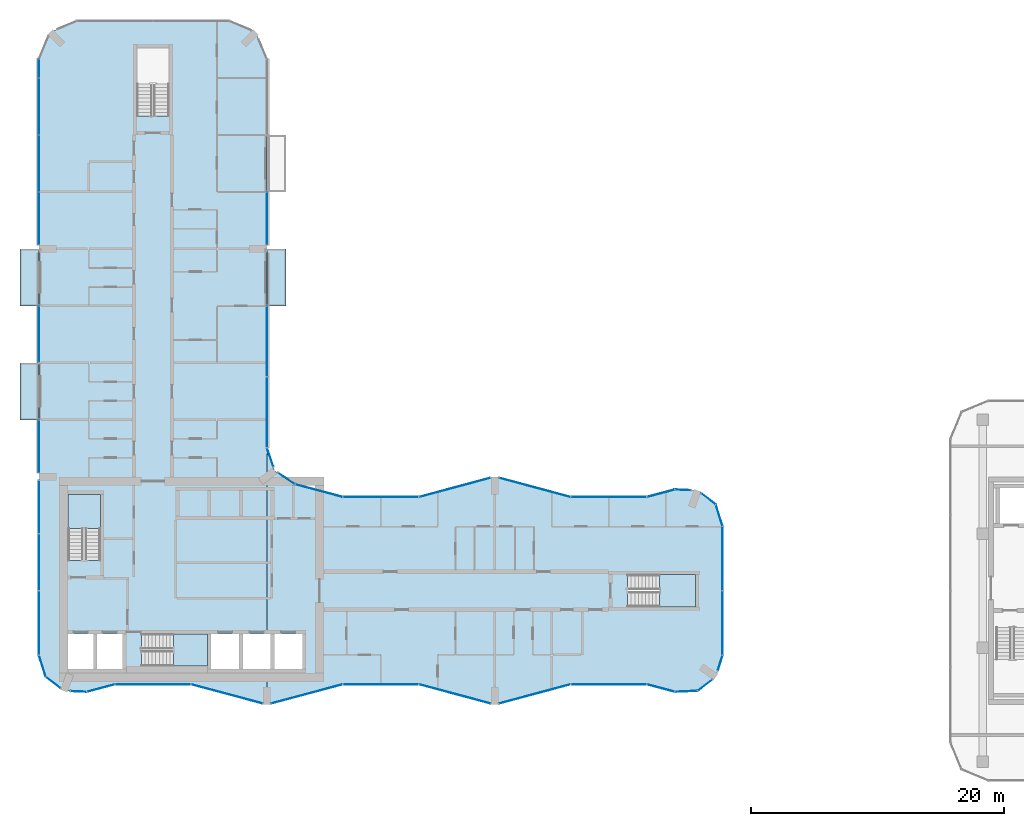
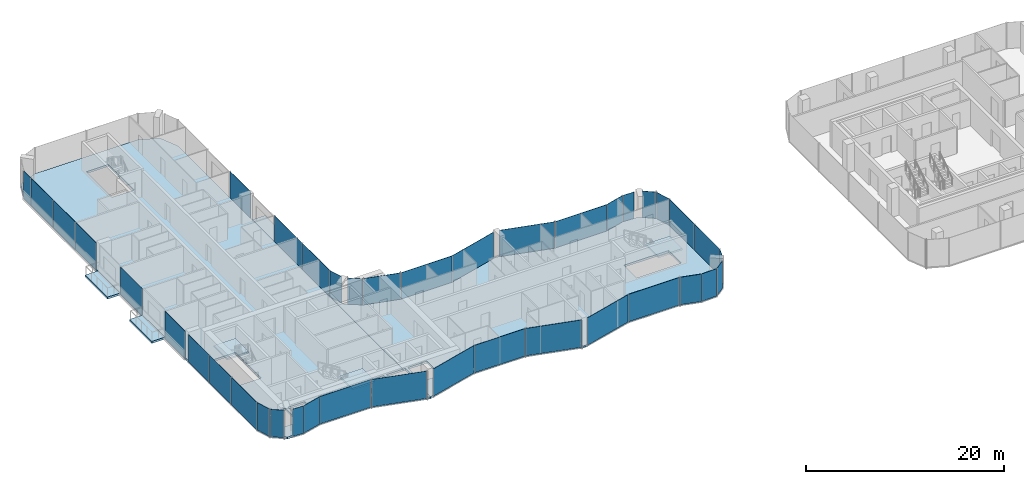
# One storey, part 11 of 23: 40 plates, 8 slabs, 36 elements without a shape of their own.
"""IFC4 building model written with IfcOpenShell, lengths in metres."""

from ifc_helpers import new_model, si_unit, direction, frame, origin, origin_2d, place, context, subcontext, project, spatial, polyline, rectangle, outline, extrude, material, layer, layer_set, type_object, element, aggregate, save


model = new_model("IFC4")

# Units and contexts
model_context = context("Model", 3, precision=1e-05, world=origin(), true_north=direction((0.0, 1.0)))
body_context = subcontext(model_context, "Body", "Model", "MODEL_VIEW")
ifc_project = project(units=[si_unit("LENGTHUNIT", "METRE"), si_unit("AREAUNIT", "SQUARE_METRE"), si_unit("VOLUMEUNIT", "CUBIC_METRE"), si_unit("PLANEANGLEUNIT", "RADIAN"), si_unit("MASSUNIT", "GRAM", prefix="KILO")], contexts=[model_context])

# Site, building, storey
site_placement = place(None, origin())
site = spatial("IfcSite", under=ifc_project, at=site_placement, CompositionType="ELEMENT")
building_placement = place(site_placement, origin())
building = spatial("IfcBuilding", under=site, at=building_placement, Name="Plateau Cross Towers", CompositionType="ELEMENT")
storey_placement = place(building_placement, frame((0.0, 0.0, 92.300048828125)))
storey = spatial("IfcBuildingStorey", under=building, at=storey_placement, Name="L23", CompositionType="ELEMENT", Elevation=92.300048828125)

# Slabs
ifc_material_1 = material(Name="Concrete C40/50", Category="concrete")
ifc_layer_1 = layer(ifc_material_1, 0.25)
ifc_layer_set_1 = layer_set([ifc_layer_1], Name="Concrete C40/50")
slab_type_1 = type_object("IfcSlabType", Name="Balcony slab 250", PredefinedType="FLOOR", material=ifc_layer_set_1)
slab_1_placement = place(storey_placement, frame((0.0, 0.0, -0.25)))
element("IfcSlab", 1, at=slab_1_placement, inside=storey, type_object=slab_type_1, Name="Balcony slab A-BAL-L23-01", PredefinedType="FLOOR", context=body_context, shape_type="SweptSolid", body=[
    extrude(outline(polyline([(0.0, 22.5), (0.0, 27.0), (-1.5, 27.0), (-1.5, 22.5), (0.0, 22.5)])), origin(), (0.0, 0.0, 1.0), 0.25),
])
slab_2_placement = place(storey_placement, frame((0.0, 0.0, -0.25)))
element("IfcSlab", 2, at=slab_2_placement, inside=storey, type_object=slab_type_1, Name="Balcony slab A-BAL-L23-02", PredefinedType="FLOOR", context=body_context, shape_type="SweptSolid", body=[
    extrude(outline(polyline([(0.0, 31.5), (0.0, 36.0), (-1.5, 36.0), (-1.5, 31.5), (0.0, 31.5)])), origin(), (0.0, 0.0, 1.0), 0.25),
])
slab_3_placement = place(storey_placement, frame((0.0, 0.0, -0.25)))
element("IfcSlab", 3, at=slab_3_placement, inside=storey, type_object=slab_type_1, Name="Balcony slab A-BAL-L23-03", PredefinedType="FLOOR", context=body_context, shape_type="SweptSolid", body=[
    extrude(outline(polyline([(19.5, 31.5), (19.5, 36.0), (18.0, 36.0), (18.0, 31.5), (19.5, 31.5)])), origin(), (0.0, 0.0, 1.0), 0.25),
])

# Curtain wall, plate
ifc_material_2 = material(Name="Dark low-iron glass", Category="glass")
ifc_layer_2 = layer(ifc_material_2, 0.239990234375)
ifc_layer_set_2 = layer_set([ifc_layer_2], Name="Dark low-iron glass")
curtain_wall_type_1 = type_object("IfcCurtainWallType", Name="Curtain wall flush unitised CW-B", PredefinedType="NOTDEFINED", material=ifc_layer_set_2)
curtain_wall_1_placement = place(storey_placement, origin())
curtain_wall_1 = element("IfcCurtainWall", 4, at=curtain_wall_1_placement, inside=storey, type_object=curtain_wall_type_1, Name="ENV/A/L23/A502_10", PredefinedType="NOTDEFINED")
ifc_layer_3 = layer(ifc_material_2, 0.031982421875)
ifc_layer_set_3 = layer_set([ifc_layer_3], Name="Dark low-iron glass")
plate_type_1 = type_object("IfcPlateType", Name="Glass panel 32 flush unitised", PredefinedType="CURTAIN_PANEL", material=ifc_layer_set_3)
plate_1_placement = place(storey_placement, frame((51.125, 1.05078125, -0.1298828125), z_axis=(0.0, 0.0, 1.0), x_axis=(0.999043701491, 0.043722791671, 0.0)))
plate_1 = element("IfcPlate", 5, at=plate_1_placement, type_object=plate_type_1, Name="CW-B panel 1", PredefinedType="CURTAIN_PANEL", context=body_context, shape_type="SweptSolid", body=[
    extrude(rectangle(XDim=1.744140625, YDim=0.031982421875, at=origin_2d()), origin(), (0.0, 0.0, 1.0), 3.3798828125),
])
aggregate(curtain_wall_1, [plate_1])

curtain_wall_2_placement = place(storey_placement, origin())
curtain_wall_2 = element("IfcCurtainWall", 6, at=curtain_wall_2_placement, inside=storey, type_object=curtain_wall_type_1, Name="ENV/A/L23/A520_11", PredefinedType="NOTDEFINED")
plate_2_placement = place(storey_placement, frame((52.60986328125, 1.5380859375, -0.1298828125), z_axis=(0.0, 0.0, 1.0), x_axis=(0.793315514529, 0.608810721331, 0.0)))
plate_2 = element("IfcPlate", 7, at=plate_2_placement, type_object=plate_type_1, Name="CW-B panel 1", PredefinedType="CURTAIN_PANEL", context=body_context, shape_type="SweptSolid", body=[
    extrude(rectangle(XDim=1.41162109375, YDim=0.031982421875, at=origin_2d()), origin(), (0.0, 0.0, 1.0), 3.3798828125),
])
aggregate(curtain_wall_2, [plate_2])

curtain_wall_3_placement = place(storey_placement, origin())
curtain_wall_3 = element("IfcCurtainWall", 8, at=curtain_wall_3_placement, inside=storey, type_object=curtain_wall_type_1, Name="ENV/A/L23/A536_27", PredefinedType="NOTDEFINED")
plate_3_placement = place(storey_placement, frame((53.805419921875, 3.292236328125, -0.1298828125), z_axis=(0.0, 0.0, 1.0), x_axis=(0.300686174994, 0.95372313811, 0.0)))
plate_3 = element("IfcPlate", 9, at=plate_3_placement, type_object=plate_type_1, Name="CW-B panel 1", PredefinedType="CURTAIN_PANEL", context=body_context, shape_type="SweptSolid", body=[
    extrude(rectangle(XDim=1.233642578125, YDim=0.031982421875, at=origin_2d()), origin(), (0.0, 0.0, 1.0), 3.3798828125),
])
aggregate(curtain_wall_3, [plate_3])

# Curtain wall, plates
curtain_wall_4_placement = place(storey_placement, origin())
curtain_wall_4 = element("IfcCurtainWall", 10, at=curtain_wall_4_placement, inside=storey, type_object=curtain_wall_type_1, Name="ENV/A/L23/A540_39", PredefinedType="NOTDEFINED")
plate_4_placement = place(storey_placement, frame((54.0, 6.45458984375, -0.1298828125), z_axis=(0.0, 0.0, 1.0), x_axis=(0.0, 1.0, 0.0)))
plate_4 = element("IfcPlate", 11, at=plate_4_placement, type_object=plate_type_1, Name="CW-B panel 1", PredefinedType="CURTAIN_PANEL", context=body_context, shape_type="SweptSolid", body=[
    extrude(rectangle(XDim=5.03076171875, YDim=0.031982421875, at=origin_2d()), origin(), (0.0, 0.0, 1.0), 3.3798828125),
])
plate_5_placement = place(storey_placement, frame((54.0, 11.54541015625, -0.1298828125), z_axis=(0.0, 0.0, 1.0), x_axis=(0.0, 1.0, 0.0)))
plate_5 = element("IfcPlate", 12, at=plate_5_placement, type_object=plate_type_1, Name="CW-B panel 2", PredefinedType="CURTAIN_PANEL", context=body_context, shape_type="SweptSolid", body=[
    extrude(rectangle(XDim=5.03076171875, YDim=0.031982421875, at=origin_2d()), origin(), (0.0, 0.0, 1.0), 3.3798828125),
])
aggregate(curtain_wall_4, [plate_4, plate_5])

# Curtain wall, plate
curtain_wall_5_placement = place(storey_placement, origin())
curtain_wall_5 = element("IfcCurtainWall", 13, at=curtain_wall_5_placement, inside=storey, type_object=curtain_wall_type_1, Name="ENV/A/L23/A540_141", PredefinedType="NOTDEFINED")
plate_6_placement = place(storey_placement, frame((53.728759765625, 14.951171875, -0.1298828125), z_axis=(0.0, 0.0, 1.0), x_axis=(-0.300686174994, 0.95372313811, 0.0)))
plate_6 = element("IfcPlate", 14, at=plate_6_placement, type_object=plate_type_1, Name="CW-B panel 1", PredefinedType="CURTAIN_PANEL", context=body_context, shape_type="SweptSolid", body=[
    extrude(rectangle(XDim=1.744140625, YDim=0.031982421875, at=origin_2d()), origin(), (0.0, 0.0, 1.0), 3.3798828125),
])
aggregate(curtain_wall_5, [plate_6])

curtain_wall_6_placement = place(storey_placement, origin())
curtain_wall_6 = element("IfcCurtainWall", 15, at=curtain_wall_6_placement, inside=storey, type_object=curtain_wall_type_1, Name="ENV/A/L23/A535_158", PredefinedType="NOTDEFINED")
plate_7_placement = place(storey_placement, frame((52.873779296875, 16.25927734375, -0.1298828125), z_axis=(0.0, 0.0, 1.0), x_axis=(-0.793315514529, 0.608810721331, 0.0)))
plate_7 = element("IfcPlate", 16, at=plate_7_placement, type_object=plate_type_1, Name="CW-B panel 1", PredefinedType="CURTAIN_PANEL", context=body_context, shape_type="SweptSolid", body=[
    extrude(rectangle(XDim=1.41162109375, YDim=0.031982421875, at=origin_2d()), origin(), (0.0, 0.0, 1.0), 3.3798828125),
])
aggregate(curtain_wall_6, [plate_7])

curtain_wall_7_placement = place(storey_placement, origin())
curtain_wall_7 = element("IfcCurtainWall", 17, at=curtain_wall_7_placement, inside=storey, type_object=curtain_wall_type_1, Name="ENV/A/L23/A515_169", PredefinedType="NOTDEFINED")
plate_8_placement = place(storey_placement, frame((50.8701171875, 16.96044921875, -0.1298828125), z_axis=(0.0, 0.0, 1.0), x_axis=(-0.999043701491, 0.043722791671, 0.0)))
plate_8 = element("IfcPlate", 18, at=plate_8_placement, type_object=plate_type_1, Name="CW-B panel 1", PredefinedType="CURTAIN_PANEL", context=body_context, shape_type="SweptSolid", body=[
    extrude(rectangle(XDim=1.233642578125, YDim=0.031982421875, at=origin_2d()), origin(), (0.0, 0.0, 1.0), 3.3798828125),
])
aggregate(curtain_wall_7, [plate_8])

curtain_wall_8_placement = place(storey_placement, origin())
curtain_wall_8 = element("IfcCurtainWall", 19, at=curtain_wall_8_placement, inside=storey, type_object=curtain_wall_type_1, Name="ENV/A/L23/A202_174", PredefinedType="NOTDEFINED")
plate_9_placement = place(storey_placement, frame((19.546630859375, 17.856689453125, -0.1298828125), z_axis=(0.0, 0.0, 1.0), x_axis=(-0.831521253329, 0.555492938984, 0.0)))
plate_9 = element("IfcPlate", 20, at=plate_9_placement, type_object=plate_type_1, Name="CW-B panel 1", PredefinedType="CURTAIN_PANEL", context=body_context, shape_type="SweptSolid", body=[
    extrude(rectangle(XDim=1.56884765625, YDim=0.031982421875, at=origin_2d()), origin(), (0.0, 0.0, 1.0), 3.3798828125),
])
aggregate(curtain_wall_8, [plate_9])

curtain_wall_9_placement = place(storey_placement, origin())
curtain_wall_9 = element("IfcCurtainWall", 21, at=curtain_wall_9_placement, inside=storey, type_object=curtain_wall_type_1, Name="ENV/A/L23/A185_188", PredefinedType="NOTDEFINED")
plate_10_placement = place(storey_placement, frame((18.26171875, 19.531005859375, -0.1298828125), z_axis=(0.0, 0.0, 1.0), x_axis=(-0.321469161574, 0.94692004845, 0.0)))
plate_10 = element("IfcPlate", 22, at=plate_10_placement, type_object=plate_type_1, Name="CW-B panel 1", PredefinedType="CURTAIN_PANEL", context=body_context, shape_type="SweptSolid", body=[
    extrude(rectangle(XDim=1.56884765625, YDim=0.031982421875, at=origin_2d()), origin(), (0.0, 0.0, 1.0), 3.3798828125),
])
aggregate(curtain_wall_9, [plate_10])

# Curtain wall, plates
curtain_wall_10_placement = place(storey_placement, origin())
curtain_wall_10 = element("IfcCurtainWall", 23, at=curtain_wall_10_placement, inside=storey, type_object=curtain_wall_type_1, Name="ENV/A/L23/A180_203", PredefinedType="NOTDEFINED")
plate_11_placement = place(storey_placement, frame((18.0, 23.09912109375, -0.1298828125), z_axis=(0.0, 0.0, 1.0), x_axis=(0.0, 1.0, 0.0)))
plate_11 = element("IfcPlate", 24, at=plate_11_placement, type_object=plate_type_1, Name="CW-B panel 1", PredefinedType="CURTAIN_PANEL", context=body_context, shape_type="SweptSolid", body=[
    extrude(rectangle(XDim=5.533935546875, YDim=0.031982421875, at=origin_2d()), origin(), (0.0, 0.0, 1.0), 3.3798828125),
])
plate_12_placement = place(storey_placement, frame((18.0, 28.693115234375, -0.1298828125), z_axis=(0.0, 0.0, 1.0), x_axis=(0.0, 1.0, 0.0)))
plate_12 = element("IfcPlate", 25, at=plate_12_placement, type_object=plate_type_1, Name="CW-B panel 2", PredefinedType="CURTAIN_PANEL", context=body_context, shape_type="SweptSolid", body=[
    extrude(rectangle(XDim=5.533935546875, YDim=0.031982421875, at=origin_2d()), origin(), (0.0, 0.0, 1.0), 3.3798828125),
])
aggregate(curtain_wall_10, [plate_11, plate_12])

# Curtain wall, plate
curtain_wall_11_placement = place(storey_placement, origin())
curtain_wall_11 = element("IfcCurtainWall", 26, at=curtain_wall_11_placement, inside=storey, type_object=curtain_wall_type_1, Name="ENV/A/L23/A180_363", PredefinedType="NOTDEFINED")
plate_13_placement = place(storey_placement, frame((18.0, 38.39501953125, -0.1298828125), z_axis=(0.0, 0.0, 1.0), x_axis=(0.0, 1.0, 0.0)))
plate_13 = element("IfcPlate", 27, at=plate_13_placement, type_object=plate_type_1, Name="CW-B panel 1", PredefinedType="CURTAIN_PANEL", context=body_context, shape_type="SweptSolid", body=[
    extrude(rectangle(XDim=4.1298828125, YDim=0.031982421875, at=origin_2d()), origin(), (0.0, 0.0, 1.0), 3.3798828125),
])
aggregate(curtain_wall_11, [plate_13])

# Curtain wall, plates
curtain_wall_12_placement = place(storey_placement, origin())
curtain_wall_12 = element("IfcCurtainWall", 28, at=curtain_wall_12_placement, inside=storey, type_object=curtain_wall_type_1, Name="ENV/A/L23/A0_510", PredefinedType="NOTDEFINED")
plate_14_placement = place(storey_placement, frame((0.0, 50.25, -0.1298828125), z_axis=(0.0, 0.0, 1.0), x_axis=(0.0, -1.0, 0.0)))
plate_14 = element("IfcPlate", 29, at=plate_14_placement, type_object=plate_type_1, Name="CW-B panel 1", PredefinedType="CURTAIN_PANEL", context=body_context, shape_type="SweptSolid", body=[
    extrude(rectangle(XDim=1.43994140625, YDim=0.031982421875, at=origin_2d()), origin(), (0.0, 0.0, 1.0), 3.3798828125),
])
plate_15_placement = place(storey_placement, frame((0.0, 47.25, -0.1298828125), z_axis=(0.0, 0.0, 1.0), x_axis=(0.0, -1.0, 0.0)))
plate_15 = element("IfcPlate", 30, at=plate_15_placement, type_object=plate_type_1, Name="CW-B panel 2", PredefinedType="CURTAIN_PANEL", context=body_context, shape_type="SweptSolid", body=[
    extrude(rectangle(XDim=4.43994140625, YDim=0.031982421875, at=origin_2d()), origin(), (0.0, 0.0, 1.0), 3.3798828125),
])
plate_16_placement = place(storey_placement, frame((0.0, 42.75, -0.1298828125), z_axis=(0.0, 0.0, 1.0), x_axis=(0.0, -1.0, 0.0)))
plate_16 = element("IfcPlate", 31, at=plate_16_placement, type_object=plate_type_1, Name="CW-B panel 3", PredefinedType="CURTAIN_PANEL", context=body_context, shape_type="SweptSolid", body=[
    extrude(rectangle(XDim=4.43994140625, YDim=0.031982421875, at=origin_2d()), origin(), (0.0, 0.0, 1.0), 3.3798828125),
])
plate_17_placement = place(storey_placement, frame((0.0, 38.39990234375, -0.1298828125), z_axis=(0.0, 0.0, 1.0), x_axis=(0.0, -1.0, 0.0)))
plate_17 = element("IfcPlate", 32, at=plate_17_placement, type_object=plate_type_1, Name="CW-B panel 4", PredefinedType="CURTAIN_PANEL", context=body_context, shape_type="SweptSolid", body=[
    extrude(rectangle(XDim=4.139892578125, YDim=0.031982421875, at=origin_2d()), origin(), (0.0, 0.0, 1.0), 3.3798828125),
])
aggregate(curtain_wall_12, [plate_14, plate_15, plate_16, plate_17])

# Curtain wall, plate
curtain_wall_13_placement = place(storey_placement, origin())
curtain_wall_13 = element("IfcCurtainWall", 33, at=curtain_wall_13_placement, inside=storey, type_object=curtain_wall_type_1, Name="ENV/A/L23/A0_315", PredefinedType="NOTDEFINED")
plate_18_placement = place(storey_placement, frame((0.0, 29.25, -0.1298828125), z_axis=(0.0, 0.0, 1.0), x_axis=(0.0, -1.0, 0.0)))
plate_18 = element("IfcPlate", 34, at=plate_18_placement, type_object=plate_type_1, Name="CW-B panel 1", PredefinedType="CURTAIN_PANEL", context=body_context, shape_type="SweptSolid", body=[
    extrude(rectangle(XDim=4.419921875, YDim=0.031982421875, at=origin_2d()), origin(), (0.0, 0.0, 1.0), 3.3798828125),
])
aggregate(curtain_wall_13, [plate_18])

curtain_wall_14_placement = place(storey_placement, origin())
curtain_wall_14 = element("IfcCurtainWall", 35, at=curtain_wall_14_placement, inside=storey, type_object=curtain_wall_type_1, Name="ENV/A/L23/A0_225", PredefinedType="NOTDEFINED")
plate_19_placement = place(storey_placement, frame((0.0, 20.39501953125, -0.1298828125), z_axis=(0.0, 0.0, 1.0), x_axis=(0.0, -1.0, 0.0)))
plate_19 = element("IfcPlate", 36, at=plate_19_placement, type_object=plate_type_1, Name="CW-B panel 1", PredefinedType="CURTAIN_PANEL", context=body_context, shape_type="SweptSolid", body=[
    extrude(rectangle(XDim=4.1298828125, YDim=0.031982421875, at=origin_2d()), origin(), (0.0, 0.0, 1.0), 3.3798828125),
])
aggregate(curtain_wall_14, [plate_19])

# Curtain wall, plates
curtain_wall_15_placement = place(storey_placement, origin())
curtain_wall_15 = element("IfcCurtainWall", 37, at=curtain_wall_15_placement, inside=storey, type_object=curtain_wall_type_1, Name="ENV/A/L23/A0_177", PredefinedType="NOTDEFINED")
plate_20_placement = place(storey_placement, frame((0.0, 15.60009765625, -0.1298828125), z_axis=(0.0, 0.0, 1.0), x_axis=(0.0, -1.0, 0.0)))
plate_20 = element("IfcPlate", 38, at=plate_20_placement, type_object=plate_type_1, Name="CW-B panel 1", PredefinedType="CURTAIN_PANEL", context=body_context, shape_type="SweptSolid", body=[
    extrude(rectangle(XDim=4.139892578125, YDim=0.031982421875, at=origin_2d()), origin(), (0.0, 0.0, 1.0), 3.3798828125),
])
plate_21_placement = place(storey_placement, frame((0.0, 11.25, -0.1298828125), z_axis=(0.0, 0.0, 1.0), x_axis=(0.0, -1.0, 0.0)))
plate_21 = element("IfcPlate", 39, at=plate_21_placement, type_object=plate_type_1, Name="CW-B panel 2", PredefinedType="CURTAIN_PANEL", context=body_context, shape_type="SweptSolid", body=[
    extrude(rectangle(XDim=4.43994140625, YDim=0.031982421875, at=origin_2d()), origin(), (0.0, 0.0, 1.0), 3.3798828125),
])
plate_22_placement = place(storey_placement, frame((0.0, 6.45458984375, -0.1298828125), z_axis=(0.0, 0.0, 1.0), x_axis=(0.0, -1.0, 0.0)))
plate_22 = element("IfcPlate", 40, at=plate_22_placement, type_object=plate_type_1, Name="CW-B panel 3", PredefinedType="CURTAIN_PANEL", context=body_context, shape_type="SweptSolid", body=[
    extrude(rectangle(XDim=5.03076171875, YDim=0.031982421875, at=origin_2d()), origin(), (0.0, 0.0, 1.0), 3.3798828125),
])
aggregate(curtain_wall_15, [plate_20, plate_21, plate_22])

# Curtain wall, plate
curtain_wall_16_placement = place(storey_placement, origin())
curtain_wall_16 = element("IfcCurtainWall", 41, at=curtain_wall_16_placement, inside=storey, type_object=curtain_wall_type_1, Name="ENV/A/L23/A0_39", PredefinedType="NOTDEFINED")
plate_23_placement = place(storey_placement, frame((0.271240234375, 3.048828125, -0.1298828125), z_axis=(0.0, 0.0, 1.0), x_axis=(0.300686174994, -0.95372313811, 0.0)))
plate_23 = element("IfcPlate", 42, at=plate_23_placement, type_object=plate_type_1, Name="CW-B panel 1", PredefinedType="CURTAIN_PANEL", context=body_context, shape_type="SweptSolid", body=[
    extrude(rectangle(XDim=1.744140625, YDim=0.031982421875, at=origin_2d()), origin(), (0.0, 0.0, 1.0), 3.3798828125),
])
aggregate(curtain_wall_16, [plate_23])

curtain_wall_17_placement = place(storey_placement, origin())
curtain_wall_17 = element("IfcCurtainWall", 43, at=curtain_wall_17_placement, inside=storey, type_object=curtain_wall_type_1, Name="ENV/A/L23/A5_22", PredefinedType="NOTDEFINED")
plate_24_placement = place(storey_placement, frame((1.126220703125, 1.74072265625, -0.1298828125), z_axis=(0.0, 0.0, 1.0), x_axis=(0.793315514529, -0.608810721331, 0.0)))
plate_24 = element("IfcPlate", 44, at=plate_24_placement, type_object=plate_type_1, Name="CW-B panel 1", PredefinedType="CURTAIN_PANEL", context=body_context, shape_type="SweptSolid", body=[
    extrude(rectangle(XDim=1.41162109375, YDim=0.031982421875, at=origin_2d()), origin(), (0.0, 0.0, 1.0), 3.3798828125),
])
aggregate(curtain_wall_17, [plate_24])

curtain_wall_18_placement = place(storey_placement, origin())
curtain_wall_18 = element("IfcCurtainWall", 45, at=curtain_wall_18_placement, inside=storey, type_object=curtain_wall_type_1, Name="ENV/A/L23/A25_11", PredefinedType="NOTDEFINED")
plate_25_placement = place(storey_placement, frame((3.1298828125, 1.03955078125, -0.1298828125), z_axis=(0.0, 0.0, 1.0), x_axis=(0.999043701491, -0.043722791671, 0.0)))
plate_25 = element("IfcPlate", 46, at=plate_25_placement, type_object=plate_type_1, Name="CW-B panel 1", PredefinedType="CURTAIN_PANEL", context=body_context, shape_type="SweptSolid", body=[
    extrude(rectangle(XDim=1.233642578125, YDim=0.031982421875, at=origin_2d()), origin(), (0.0, 0.0, 1.0), 3.3798828125),
])
aggregate(curtain_wall_18, [plate_25])

ifc_layer_4 = layer(ifc_material_2, 0.260009765625)
ifc_layer_set_4 = layer_set([ifc_layer_4], Name="Dark low-iron glass")
curtain_wall_type_2 = type_object("IfcCurtainWallType", Name="Curtain wall fluted unitised CW-A", PredefinedType="NOTDEFINED", material=ifc_layer_set_4)
curtain_wall_19_placement = place(storey_placement, origin())
curtain_wall_19 = element("IfcCurtainWall", 47, at=curtain_wall_19_placement, inside=storey, type_object=curtain_wall_type_2, Name="ENV/A/L23/A38_10", PredefinedType="NOTDEFINED")
ifc_layer_5 = layer(ifc_material_2, 0.035888671875)
ifc_layer_set_5 = layer_set([ifc_layer_5], Name="Dark low-iron glass")
plate_type_2 = type_object("IfcPlateType", Name="Glass panel 36 fluted unitised", PredefinedType="CURTAIN_PANEL", material=ifc_layer_set_5)
plate_26_placement = place(storey_placement, frame((4.887939453125, 1.30908203125, -0.1298828125), z_axis=(0.0, 0.0, 1.0), x_axis=(0.965957962328, 0.258699081978, 0.0)))
plate_26 = element("IfcPlate", 48, at=plate_26_placement, type_object=plate_type_2, Name="CW-A panel 1", PredefinedType="CURTAIN_PANEL", context=body_context, shape_type="SweptSolid", body=[
    extrude(rectangle(XDim=2.2421875, YDim=0.035888671875, at=origin_2d()), origin(), (0.0, 0.0, 1.0), 3.3798828125),
])
aggregate(curtain_wall_19, [plate_26])

curtain_wall_20_placement = place(storey_placement, origin())
curtain_wall_20 = element("IfcCurtainWall", 49, at=curtain_wall_20_placement, inside=storey, type_object=curtain_wall_type_2, Name="ENV/A/L23/A60_16", PredefinedType="NOTDEFINED")
plate_27_placement = place(storey_placement, frame((9.0, 1.60693359375, -0.1298828125), z_axis=(0.0, 0.0, 1.0), x_axis=(1.0, 0.0, 0.0)))
plate_27 = element("IfcPlate", 50, at=plate_27_placement, type_object=plate_type_2, Name="CW-A panel 1", PredefinedType="CURTAIN_PANEL", context=body_context, shape_type="SweptSolid", body=[
    extrude(rectangle(XDim=5.93994140625, YDim=0.035888671875, at=origin_2d()), origin(), (0.0, 0.0, 1.0), 3.3798828125),
])
aggregate(curtain_wall_20, [plate_27])

curtain_wall_21_placement = place(storey_placement, origin())
curtain_wall_21 = element("IfcCurtainWall", 51, at=curtain_wall_21_placement, inside=storey, type_object=curtain_wall_type_2, Name="ENV/A/L23/A120_16", PredefinedType="NOTDEFINED")
plate_28_placement = place(storey_placement, frame((14.841064453125, 0.845947265625, -0.1298828125), z_axis=(0.0, 0.0, 1.0), x_axis=(0.965957983404, -0.258699003279, 0.0)))
plate_28 = element("IfcPlate", 52, at=plate_28_placement, type_object=plate_type_2, Name="CW-A panel 1", PredefinedType="CURTAIN_PANEL", context=body_context, shape_type="SweptSolid", body=[
    extrude(rectangle(XDim=5.822265625, YDim=0.035888671875, at=origin_2d()), origin(), (0.0, 0.0, 1.0), 3.3798828125),
])
aggregate(curtain_wall_21, [plate_28])

curtain_wall_22_placement = place(storey_placement, origin())
curtain_wall_22 = element("IfcCurtainWall", 53, at=curtain_wall_22_placement, inside=storey, type_object=curtain_wall_type_2, Name="ENV/A/L23/A183_1", PredefinedType="NOTDEFINED")
plate_29_placement = place(storey_placement, frame((21.158935546875, 0.845947265625, -0.1298828125), z_axis=(0.0, 0.0, 1.0), x_axis=(0.965957983404, 0.258699003279, 0.0)))
plate_29 = element("IfcPlate", 54, at=plate_29_placement, type_object=plate_type_2, Name="CW-A panel 1", PredefinedType="CURTAIN_PANEL", context=body_context, shape_type="SweptSolid", body=[
    extrude(rectangle(XDim=5.822265625, YDim=0.035888671875, at=origin_2d()), origin(), (0.0, 0.0, 1.0), 3.3798828125),
])
aggregate(curtain_wall_22, [plate_29])

curtain_wall_23_placement = place(storey_placement, origin())
curtain_wall_23 = element("IfcCurtainWall", 55, at=curtain_wall_23_placement, inside=storey, type_object=curtain_wall_type_2, Name="ENV/A/L23/A240_16", PredefinedType="NOTDEFINED")
plate_30_placement = place(storey_placement, frame((27.0, 1.60693359375, -0.1298828125), z_axis=(0.0, 0.0, 1.0), x_axis=(1.0, 0.0, 0.0)))
plate_30 = element("IfcPlate", 56, at=plate_30_placement, type_object=plate_type_2, Name="CW-A panel 1", PredefinedType="CURTAIN_PANEL", context=body_context, shape_type="SweptSolid", body=[
    extrude(rectangle(XDim=5.93994140625, YDim=0.035888671875, at=origin_2d()), origin(), (0.0, 0.0, 1.0), 3.3798828125),
])
aggregate(curtain_wall_23, [plate_30])

curtain_wall_24_placement = place(storey_placement, origin())
curtain_wall_24 = element("IfcCurtainWall", 57, at=curtain_wall_24_placement, inside=storey, type_object=curtain_wall_type_2, Name="ENV/A/L23/A300_16", PredefinedType="NOTDEFINED")
plate_31_placement = place(storey_placement, frame((32.841064453125, 0.845947265625, -0.1298828125), z_axis=(0.0, 0.0, 1.0), x_axis=(0.965957983404, -0.258699003279, 0.0)))
plate_31 = element("IfcPlate", 58, at=plate_31_placement, type_object=plate_type_2, Name="CW-A panel 1", PredefinedType="CURTAIN_PANEL", context=body_context, shape_type="SweptSolid", body=[
    extrude(rectangle(XDim=5.822265625, YDim=0.035888671875, at=origin_2d()), origin(), (0.0, 0.0, 1.0), 3.3798828125),
])
aggregate(curtain_wall_24, [plate_31])

curtain_wall_25_placement = place(storey_placement, origin())
curtain_wall_25 = element("IfcCurtainWall", 59, at=curtain_wall_25_placement, inside=storey, type_object=curtain_wall_type_2, Name="ENV/A/L23/A363_1", PredefinedType="NOTDEFINED")
plate_32_placement = place(storey_placement, frame((39.158935546875, 0.845947265625, -0.1298828125), z_axis=(0.0, 0.0, 1.0), x_axis=(0.965957983404, 0.258699003279, 0.0)))
plate_32 = element("IfcPlate", 60, at=plate_32_placement, type_object=plate_type_2, Name="CW-A panel 1", PredefinedType="CURTAIN_PANEL", context=body_context, shape_type="SweptSolid", body=[
    extrude(rectangle(XDim=5.822265625, YDim=0.035888671875, at=origin_2d()), origin(), (0.0, 0.0, 1.0), 3.3798828125),
])
aggregate(curtain_wall_25, [plate_32])

curtain_wall_26_placement = place(storey_placement, origin())
curtain_wall_26 = element("IfcCurtainWall", 61, at=curtain_wall_26_placement, inside=storey, type_object=curtain_wall_type_2, Name="ENV/A/L23/A420_16", PredefinedType="NOTDEFINED")
plate_33_placement = place(storey_placement, frame((45.0, 1.60693359375, -0.1298828125), z_axis=(0.0, 0.0, 1.0), x_axis=(1.0, 0.0, 0.0)))
plate_33 = element("IfcPlate", 62, at=plate_33_placement, type_object=plate_type_2, Name="CW-A panel 1", PredefinedType="CURTAIN_PANEL", context=body_context, shape_type="SweptSolid", body=[
    extrude(rectangle(XDim=5.93994140625, YDim=0.035888671875, at=origin_2d()), origin(), (0.0, 0.0, 1.0), 3.3798828125),
])
aggregate(curtain_wall_26, [plate_33])

curtain_wall_27_placement = place(storey_placement, origin())
curtain_wall_27 = element("IfcCurtainWall", 63, at=curtain_wall_27_placement, inside=storey, type_object=curtain_wall_type_2, Name="ENV/A/L23/A480_16", PredefinedType="NOTDEFINED")
plate_34_placement = place(storey_placement, frame((49.112060546875, 1.30908203125, -0.1298828125), z_axis=(0.0, 0.0, 1.0), x_axis=(0.965957962328, -0.258699081978, 0.0)))
plate_34 = element("IfcPlate", 64, at=plate_34_placement, type_object=plate_type_2, Name="CW-A panel 1", PredefinedType="CURTAIN_PANEL", context=body_context, shape_type="SweptSolid", body=[
    extrude(rectangle(XDim=2.2421875, YDim=0.035888671875, at=origin_2d()), origin(), (0.0, 0.0, 1.0), 3.3798828125),
])
aggregate(curtain_wall_27, [plate_34])

curtain_wall_28_placement = place(storey_placement, origin())
curtain_wall_28 = element("IfcCurtainWall", 65, at=curtain_wall_28_placement, inside=storey, type_object=curtain_wall_type_2, Name="ENV/A/L23/A502_170", PredefinedType="NOTDEFINED")
plate_35_placement = place(storey_placement, frame((49.112060546875, 16.69091796875, -0.1298828125), z_axis=(0.0, 0.0, 1.0), x_axis=(-0.965957962328, -0.258699081978, 0.0)))
plate_35 = element("IfcPlate", 66, at=plate_35_placement, type_object=plate_type_2, Name="CW-A panel 1", PredefinedType="CURTAIN_PANEL", context=body_context, shape_type="SweptSolid", body=[
    extrude(rectangle(XDim=2.2421875, YDim=0.035888671875, at=origin_2d()), origin(), (0.0, 0.0, 1.0), 3.3798828125),
])
aggregate(curtain_wall_28, [plate_35])

curtain_wall_29_placement = place(storey_placement, origin())
curtain_wall_29 = element("IfcCurtainWall", 67, at=curtain_wall_29_placement, inside=storey, type_object=curtain_wall_type_2, Name="ENV/A/L23/A480_164", PredefinedType="NOTDEFINED")
plate_36_placement = place(storey_placement, frame((45.0, 16.39306640625, -0.1298828125), z_axis=(0.0, 0.0, 1.0), x_axis=(-1.0, 0.0, 0.0)))
plate_36 = element("IfcPlate", 68, at=plate_36_placement, type_object=plate_type_2, Name="CW-A panel 1", PredefinedType="CURTAIN_PANEL", context=body_context, shape_type="SweptSolid", body=[
    extrude(rectangle(XDim=5.93994140625, YDim=0.035888671875, at=origin_2d()), origin(), (0.0, 0.0, 1.0), 3.3798828125),
])
aggregate(curtain_wall_29, [plate_36])

curtain_wall_30_placement = place(storey_placement, origin())
curtain_wall_30 = element("IfcCurtainWall", 69, at=curtain_wall_30_placement, inside=storey, type_object=curtain_wall_type_2, Name="ENV/A/L23/A420_164", PredefinedType="NOTDEFINED")
plate_37_placement = place(storey_placement, frame((39.158935546875, 17.154052734375, -0.1298828125), z_axis=(0.0, 0.0, 1.0), x_axis=(-0.965957983404, 0.258699003279, 0.0)))
plate_37 = element("IfcPlate", 70, at=plate_37_placement, type_object=plate_type_2, Name="CW-A panel 1", PredefinedType="CURTAIN_PANEL", context=body_context, shape_type="SweptSolid", body=[
    extrude(rectangle(XDim=5.822265625, YDim=0.035888671875, at=origin_2d()), origin(), (0.0, 0.0, 1.0), 3.3798828125),
])
aggregate(curtain_wall_30, [plate_37])

curtain_wall_31_placement = place(storey_placement, origin())
curtain_wall_31 = element("IfcCurtainWall", 71, at=curtain_wall_31_placement, inside=storey, type_object=curtain_wall_type_2, Name="ENV/A/L23/A357_179", PredefinedType="NOTDEFINED")
plate_38_placement = place(storey_placement, frame((32.841064453125, 17.154052734375, -0.1298828125), z_axis=(0.0, 0.0, 1.0), x_axis=(-0.965957983404, -0.258699003279, 0.0)))
plate_38 = element("IfcPlate", 72, at=plate_38_placement, type_object=plate_type_2, Name="CW-A panel 1", PredefinedType="CURTAIN_PANEL", context=body_context, shape_type="SweptSolid", body=[
    extrude(rectangle(XDim=5.822265625, YDim=0.035888671875, at=origin_2d()), origin(), (0.0, 0.0, 1.0), 3.3798828125),
])
aggregate(curtain_wall_31, [plate_38])

curtain_wall_32_placement = place(storey_placement, origin())
curtain_wall_32 = element("IfcCurtainWall", 73, at=curtain_wall_32_placement, inside=storey, type_object=curtain_wall_type_2, Name="ENV/A/L23/A300_164", PredefinedType="NOTDEFINED")
plate_39_placement = place(storey_placement, frame((27.0, 16.39306640625, -0.1298828125), z_axis=(0.0, 0.0, 1.0), x_axis=(-1.0, 0.0, 0.0)))
plate_39 = element("IfcPlate", 74, at=plate_39_placement, type_object=plate_type_2, Name="CW-A panel 1", PredefinedType="CURTAIN_PANEL", context=body_context, shape_type="SweptSolid", body=[
    extrude(rectangle(XDim=5.93994140625, YDim=0.035888671875, at=origin_2d()), origin(), (0.0, 0.0, 1.0), 3.3798828125),
])
aggregate(curtain_wall_32, [plate_39])

curtain_wall_33_placement = place(storey_placement, origin())
curtain_wall_33 = element("IfcCurtainWall", 75, at=curtain_wall_33_placement, inside=storey, type_object=curtain_wall_type_2, Name="ENV/A/L23/A240_164", PredefinedType="NOTDEFINED")
plate_40_placement = place(storey_placement, frame((22.112060546875, 16.898681640625, -0.1298828125), z_axis=(0.0, 0.0, 1.0), x_axis=(-0.965957995816, 0.258698956933, 0.0)))
plate_40 = element("IfcPlate", 76, at=plate_40_placement, type_object=plate_type_2, Name="CW-A panel 1", PredefinedType="CURTAIN_PANEL", context=body_context, shape_type="SweptSolid", body=[
    extrude(rectangle(XDim=3.84912109375, YDim=0.035888671875, at=origin_2d()), origin(), (0.0, 0.0, 1.0), 3.3798828125),
])
aggregate(curtain_wall_33, [plate_40])

# Slabs
ifc_layer_6 = layer(ifc_material_1, 0.25)
ifc_layer_set_6 = layer_set([ifc_layer_6], Name="Concrete C40/50")
slab_type_2 = type_object("IfcSlabType", Name="Post-tensioned flat plate slab 250", PredefinedType="FLOOR", material=ifc_layer_set_6)
slab_4_placement = place(storey_placement, frame((0.0, 0.0, -0.25)))
element("IfcSlab", 77, at=slab_4_placement, inside=storey, type_object=slab_type_2, Name="SL-A-L23 1", PredefinedType="FLOOR", context=body_context, shape_type="SweptSolid", body=[
    extrude(outline(polyline([(0.54248046875, 2.1884765625), (0.0, 3.9091796875), (0.0, 51.0), (0.878662109375, 53.121337890625), (3.0, 54.0), (15.0, 54.0), (17.121337890625, 53.121337890625), (18.0, 51.0), (18.0, 20.30224609375), (18.0, 5.60009765625), (16.10009765625, 5.60009765625), (16.10009765625, 2.800048828125), (18.0, 2.800048828125), (18.0, 0.0), (12.0, 1.60693359375), (6.0, 1.60693359375), (3.776123046875, 1.01123046875), (1.9736328125, 1.090087890625), (0.54248046875, 2.1884765625)]), holes=[polyline([(4.300048828125, 5.60009765625), (2.300048828125, 5.60009765625), (2.300048828125, 2.800048828125), (4.300048828125, 2.800048828125), (4.300048828125, 5.60009765625)]), polyline([(6.60009765625, 5.60009765625), (4.60009765625, 5.60009765625), (4.60009765625, 2.800048828125), (6.60009765625, 2.800048828125), (6.60009765625, 5.60009765625)]), polyline([(15.800048828125, 5.60009765625), (13.60009765625, 5.60009765625), (13.60009765625, 2.800048828125), (15.800048828125, 2.800048828125), (15.800048828125, 5.60009765625)]), polyline([(13.300048828125, 5.60009765625), (8.10009765625, 5.60009765625), (8.10009765625, 3.050048828125), (13.300048828125, 3.050048828125), (13.300048828125, 5.60009765625)]), polyline([(4.85009765625, 16.60009765625), (2.300048828125, 16.60009765625), (2.300048828125, 11.39990234375), (4.85009765625, 11.39990234375), (4.85009765625, 16.60009765625)]), polyline([(7.72509765625, 51.699951171875), (7.72509765625, 46.5), (10.27490234375, 46.5), (10.27490234375, 51.699951171875), (7.72509765625, 51.699951171875)])]), origin(), (0.0, 0.0, 1.0), 0.25),
])
slab_5_placement = place(storey_placement, frame((0.0, 0.0, -0.25)))
element("IfcSlab", 78, at=slab_5_placement, inside=storey, type_object=slab_type_2, Name="SL-A-L23 2", PredefinedType="FLOOR", context=body_context, shape_type="SweptSolid", body=[
    extrude(outline(polyline([(18.6201171875, 18.475830078125), (20.223876953125, 17.404296875), (24.0, 16.39306640625), (30.0, 16.39306640625), (36.0, 18.0), (42.0, 16.39306640625), (48.0, 16.39306640625), (50.223876953125, 16.98876953125), (52.0263671875, 16.909912109375), (53.45751953125, 15.8115234375), (54.0, 14.0908203125), (54.0, 3.9091796875), (53.45751953125, 2.1884765625), (52.0263671875, 1.090087890625), (50.223876953125, 1.01123046875), (48.0, 1.60693359375), (42.0, 1.60693359375), (36.0, 0.0), (30.0, 1.60693359375), (24.0, 1.60693359375), (18.0, 0.0), (18.0, 2.800048828125), (18.300048828125, 2.800048828125), (18.300048828125, 5.60009765625), (18.0, 5.60009765625), (18.0, 20.30224609375), (18.6201171875, 18.475830078125)]), holes=[polyline([(20.800048828125, 5.60009765625), (18.60009765625, 5.60009765625), (18.60009765625, 2.800048828125), (20.800048828125, 2.800048828125), (20.800048828125, 5.60009765625)]), polyline([(51.699951171875, 7.72509765625), (51.699951171875, 10.27490234375), (46.5, 10.27490234375), (46.5, 7.72509765625), (51.699951171875, 7.72509765625)])]), origin(), (0.0, 0.0, 1.0), 0.25),
])

# Stair, slab
stair_type = type_object("IfcStairType", Name="ST-TWR", PredefinedType="HALF_TURN_STAIR", material=ifc_material_1)
stair_1_placement = place(storey_placement, origin())
stair_1 = element("IfcStair", 79, at=stair_1_placement, inside=storey, type_object=stair_type, Name="L23 Protected Exit Stair ST-1", PredefinedType="HALF_TURN_STAIR")
ifc_layer_7 = layer(ifc_material_1, 0.199951171875)
ifc_layer_set_7 = layer_set([ifc_layer_7], Name="Concrete C40/50")
slab_type_3 = type_object("IfcSlabType", Name="SL-LANDING", PredefinedType="LANDING", material=ifc_layer_set_7)
slab_6_placement = place(storey_placement, frame((0.0, 0.0, 1.550048828125)))
slab_6 = element("IfcSlab", 80, at=slab_6_placement, type_object=slab_type_3, Name="ST-1 landing 1", PredefinedType="LANDING", context=body_context, shape_type="SweptSolid", body=[
    extrude(outline(polyline([(4.85009765625, 13.919921875), (4.85009765625, 16.60009765625), (2.300048828125, 16.60009765625), (2.300048828125, 13.919921875), (4.85009765625, 13.919921875)])), origin(), (0.0, 0.0, 1.0), 0.199951171875),
])
aggregate(stair_1, [slab_6])

stair_2_placement = place(storey_placement, origin())
stair_2 = element("IfcStair", 81, at=stair_2_placement, inside=storey, type_object=stair_type, Name="L23 Protected Exit Stair ST-2", PredefinedType="HALF_TURN_STAIR")
slab_7_placement = place(storey_placement, frame((0.0, 0.0, 1.550048828125)))
slab_7 = element("IfcSlab", 82, at=slab_7_placement, type_object=slab_type_3, Name="ST-2 landing 1", PredefinedType="LANDING", context=body_context, shape_type="SweptSolid", body=[
    extrude(outline(polyline([(10.6201171875, 3.050048828125), (13.300048828125, 3.050048828125), (13.300048828125, 5.60009765625), (10.6201171875, 5.60009765625), (10.6201171875, 3.050048828125)])), origin(), (0.0, 0.0, 1.0), 0.199951171875),
])
aggregate(stair_2, [slab_7])

stair_3_placement = place(storey_placement, origin())
stair_3 = element("IfcStair", 83, at=stair_3_placement, inside=storey, type_object=stair_type, Name="L23 Protected Exit Stair E", PredefinedType="HALF_TURN_STAIR")
slab_8_placement = place(storey_placement, frame((0.0, 0.0, 1.550048828125)))
slab_8 = element("IfcSlab", 84, at=slab_8_placement, type_object=slab_type_3, Name="ES-E landing 1", PredefinedType="LANDING", context=body_context, shape_type="SweptSolid", body=[
    extrude(outline(polyline([(49.02001953125, 7.72509765625), (51.85009765625, 7.72509765625), (51.85009765625, 10.27490234375), (49.02001953125, 10.27490234375), (49.02001953125, 7.72509765625)])), origin(), (0.0, 0.0, 1.0), 0.199951171875),
])
aggregate(stair_3, [slab_8])

save(model, "model.ifc")
